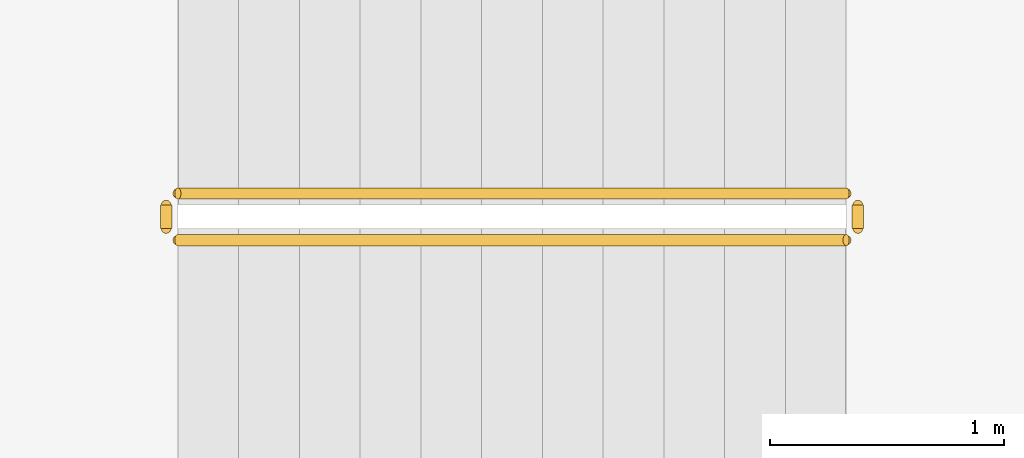
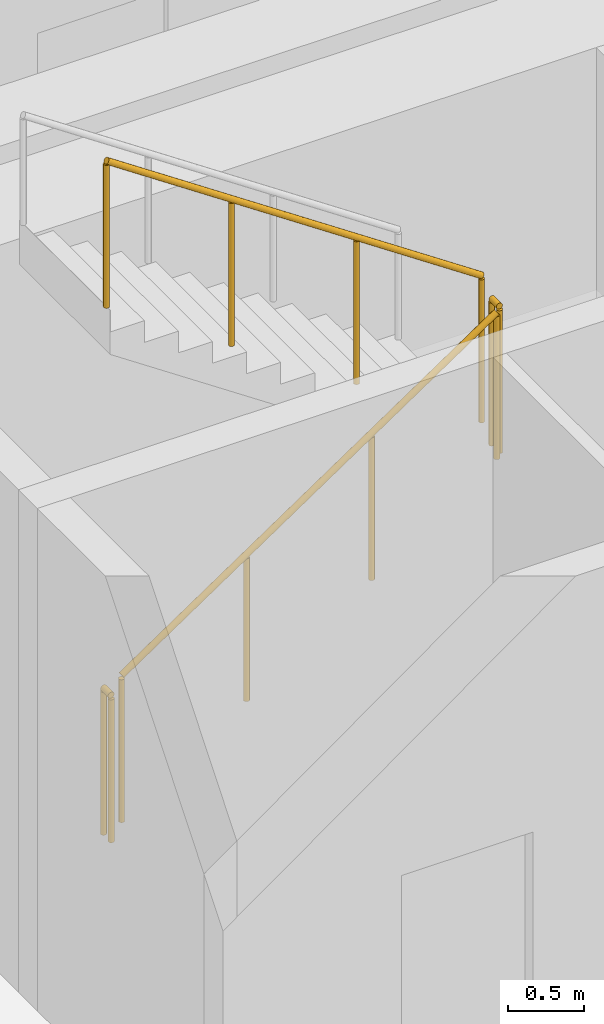
# One storey, part 23 of 28: 4 railings.
"""IFC4 building model written with IfcOpenShell, lengths in metres."""

from ifc_helpers import new_model, si_unit, direction, frame, origin, origin_2d, place, context, subcontext, project, spatial, circle, extrude, material, type_object, element, save


model = new_model("IFC4")

# Units and contexts
model_context = context("Model", 3, precision=1e-05, world=origin(), true_north=direction((0.0, 1.0)))
body_context = subcontext(model_context, "Body", "Model", "MODEL_VIEW")
ifc_project = project(units=[si_unit("LENGTHUNIT", "METRE"), si_unit("AREAUNIT", "SQUARE_METRE"), si_unit("VOLUMEUNIT", "CUBIC_METRE"), si_unit("PLANEANGLEUNIT", "RADIAN"), si_unit("MASSUNIT", "GRAM", prefix="KILO")], contexts=[model_context])

# Site, building, storey
site_placement = place(None, origin())
site = spatial("IfcSite", under=ifc_project, at=site_placement, CompositionType="ELEMENT")
building_placement = place(site_placement, origin())
building = spatial("IfcBuilding", under=site, at=building_placement, Name="Sahrelin Media Tower", CompositionType="ELEMENT")
storey_placement = place(building_placement, frame((0.0, 0.0, 75.60009765625)))
storey = spatial("IfcBuildingStorey", under=building, at=storey_placement, Name="L13", CompositionType="ELEMENT", Elevation=75.60009765625)

# Railings
ifc_material = material(Name="Steel S355", Category="steel")
railing_type = type_object("IfcRailingType", Name="Stair guard 1200", PredefinedType="GUARDRAIL", material=ifc_material)
railing_1_placement = place(storey_placement, frame((-7.675048828125, 5.25, 0.1748046875)))
element("IfcRailing", 1, at=railing_1_placement, inside=storey, type_object=railing_type, Name="L13 ST1 stair guard 1", PredefinedType="GUARDRAIL", context=body_context, shape_type="SweptSolid", body=[
    extrude(circle(Radius=0.02392578125, at=origin_2d()), frame((0.0, 0.0, 1.17578125), z_axis=(0.829590901723, 0.0, 0.558371682465), x_axis=(0.0, 1.0, 0.0)), (0.0, 0.0, 1.0), 3.447509765625),
    extrude(circle(Radius=0.02099609375, at=origin_2d()), origin(), (0.0, 0.0, 1.0), 1.15185546875),
    extrude(circle(Radius=0.02099609375, at=origin_2d()), frame((0.953369140625, 0.0, 0.6416015625)), (0.0, 0.0, 1.0), 1.15185546875),
    extrude(circle(Radius=0.02099609375, at=origin_2d()), frame((1.90673828125, 0.0, 1.283447265625)), (0.0, 0.0, 1.0), 1.15185546875),
    extrude(circle(Radius=0.02099609375, at=origin_2d()), frame((2.860107421875, 0.0, 1.925048828125)), (0.0, 0.0, 1.0), 1.15185546875),
])
railing_2_placement = place(storey_placement, frame((-4.764892578125, 5.300048828125, 2.099853515625)))
element("IfcRailing", 2, at=railing_2_placement, inside=storey, type_object=railing_type, Name="L13 ST1 stair guard 2", PredefinedType="GUARDRAIL", context=body_context, shape_type="SweptSolid", body=[
    extrude(circle(Radius=0.02392578125, at=origin_2d()), frame((0.0, 0.0, 1.17578125), z_axis=(0.0, 1.0, 0.0), x_axis=(-1.0, 0.0, 0.0)), (0.0, 0.0, 1.0), 0.099853515625),
    extrude(circle(Radius=0.02099609375, at=origin_2d()), origin(), (0.0, 0.0, 1.0), 1.15185546875),
    extrude(circle(Radius=0.02099609375, at=origin_2d()), frame((0.0, 0.099853515625, 0.0)), (0.0, 0.0, 1.0), 1.15185546875),
])
railing_3_placement = place(storey_placement, frame((-4.81494140625, 5.449951171875, 2.27490234375)))
element("IfcRailing", 3, at=railing_3_placement, inside=storey, type_object=railing_type, Name="L13 ST1 stair guard 3", PredefinedType="GUARDRAIL", context=body_context, shape_type="SweptSolid", body=[
    extrude(circle(Radius=0.02392578125, at=origin_2d()), frame((0.0, 0.0, 1.17578125), z_axis=(-0.829590901723, 0.0, 0.558371682465), x_axis=(0.0, -1.0, 0.0)), (0.0, 0.0, 1.0), 3.447509765625),
    extrude(circle(Radius=0.02099609375, at=origin_2d()), origin(), (0.0, 0.0, 1.0), 1.15185546875),
    extrude(circle(Radius=0.02099609375, at=origin_2d()), frame((-0.953369140625, 0.0, 0.6416015625)), (0.0, 0.0, 1.0), 1.15185546875),
    extrude(circle(Radius=0.02099609375, at=origin_2d()), frame((-1.90673828125, 0.0, 1.283447265625)), (0.0, 0.0, 1.0), 1.15185546875),
    extrude(circle(Radius=0.02099609375, at=origin_2d()), frame((-2.860107421875, 0.0, 1.925048828125)), (0.0, 0.0, 1.0), 1.15185546875),
])
railing_4_placement = place(storey_placement, frame((-7.72509765625, 5.300048828125, 0.0)))
element("IfcRailing", 4, at=railing_4_placement, inside=storey, type_object=railing_type, Name="L13 ST1 stair guard 4", PredefinedType="GUARDRAIL", context=body_context, shape_type="SweptSolid", body=[
    extrude(circle(Radius=0.02392578125, at=origin_2d()), frame((0.0, 0.0, 1.17578125), z_axis=(0.0, 1.0, 0.0), x_axis=(-1.0, 0.0, 0.0)), (0.0, 0.0, 1.0), 0.099853515625),
    extrude(circle(Radius=0.02099609375, at=origin_2d()), origin(), (0.0, 0.0, 1.0), 1.15185546875),
    extrude(circle(Radius=0.02099609375, at=origin_2d()), frame((0.0, 0.099853515625, 0.0)), (0.0, 0.0, 1.0), 1.15185546875),
])

save(model, "model.ifc")
